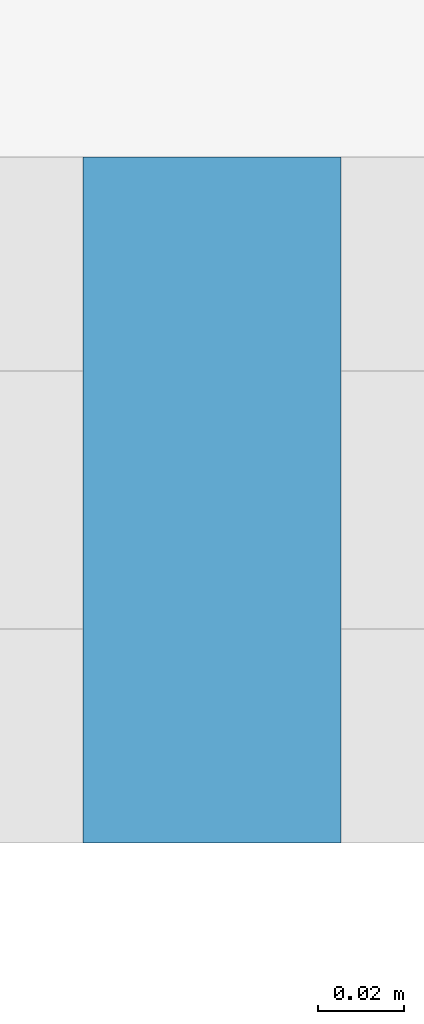
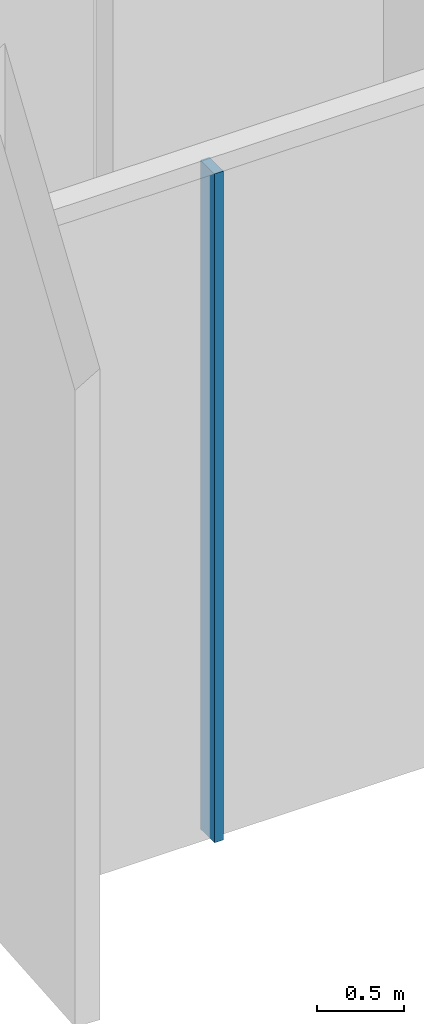
# One storey, part 4 of 18: 1 member, 1 element without a shape of its own.
"""IFC4 building model written with IfcOpenShell, lengths in metres."""

from ifc_helpers import new_model, si_unit, direction, frame, origin, origin_2d, place, context, subcontext, project, spatial, rectangle, extrude, material, layer, layer_set, material_profile, profile_set, type_object, element, aggregate, save


model = new_model("IFC4")

# Units and contexts
model_context = context("Model", 3, precision=1e-05, world=origin(), true_north=direction((0.0, 1.0)))
body_context = subcontext(model_context, "Body", "Model", "MODEL_VIEW")
ifc_project = project(units=[si_unit("LENGTHUNIT", "METRE"), si_unit("AREAUNIT", "SQUARE_METRE"), si_unit("VOLUMEUNIT", "CUBIC_METRE"), si_unit("PLANEANGLEUNIT", "RADIAN"), si_unit("MASSUNIT", "GRAM", prefix="KILO")], contexts=[model_context])

# Site, building, storey
site_placement = place(None, origin())
site = spatial("IfcSite", under=ifc_project, at=site_placement, CompositionType="ELEMENT")
building_placement = place(site_placement, origin())
building = spatial("IfcBuilding", under=site, at=building_placement, Name="Spindle Arch Residences", CompositionType="ELEMENT")
storey_placement = place(building_placement, frame((0.0, 0.0, 9.0)))
storey = spatial("IfcBuildingStorey", under=building, at=storey_placement, Name="L01", CompositionType="ELEMENT", Elevation=9.0)

# Curtain wall, member
ifc_material_1 = material(Name="Aluminium bronze unitised frame with tinted glass", Category="aluminium")
ifc_layer = layer(ifc_material_1, 0.159912109375)
ifc_layer_set = layer_set([ifc_layer], Name="CW-B amenity podium glazed wall")
curtain_wall_type = type_object("IfcCurtainWallType", Name="CW-B amenity podium glazed wall", PredefinedType="NOTDEFINED", material=ifc_layer_set)
curtain_wall_placement = place(storey_placement, origin())
curtain_wall = element("IfcCurtainWall", 1, at=curtain_wall_placement, inside=storey, type_object=curtain_wall_type, Name="CW-B L01 run 6", PredefinedType="NOTDEFINED")
ifc_material_2 = material(Name="Aluminium bronze anodised mullion", Category="aluminium")
ifc_material_profile = material_profile(ifc_material_2, rectangle(XDim=0.159912109375, YDim=0.06005859375, at=origin_2d()), Name="MU 60x160")
ifc_profile_set = profile_set([ifc_material_profile], Name="Aluminium bronze anodised mullion")
member_type = type_object("IfcMemberType", Name="Bronze mullion 60x160", PredefinedType="MULLION", material=ifc_profile_set)
member_placement = place(storey_placement, frame((-3.840087890625, -19.7099609375, -0.3798828125), z_axis=(0.0, 0.0, 1.0), x_axis=(0.0, 1.0, 0.0)))
member = element("IfcMember", 2, at=member_placement, type_object=member_type, Name="CW-B mullion 23", PredefinedType="MULLION", context=body_context, shape_type="SweptSolid", body=[
    extrude(rectangle(XDim=0.159912109375, YDim=0.06005859375, at=origin_2d()), origin(), (0.0, 0.0, 1.0), 4.679931640625),
])
aggregate(curtain_wall, [member])

save(model, "model.ifc")
